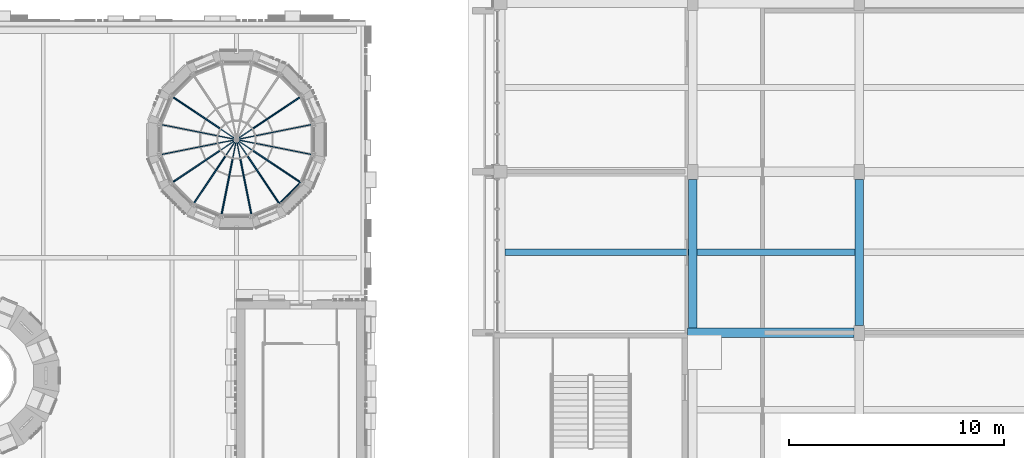
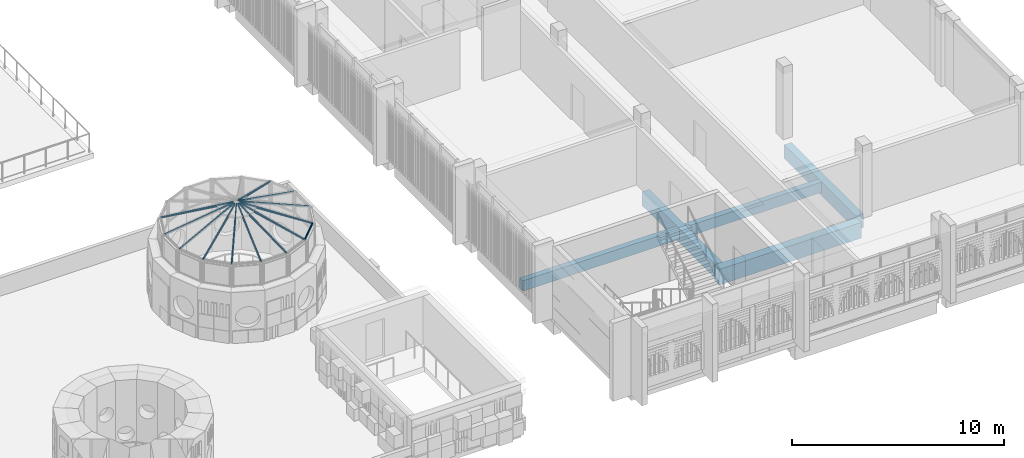
# One storey, part 17 of 98: 21 members, 5 beams.
"""IFC4 building model written with IfcOpenShell, lengths in metres."""

from ifc_helpers import new_model, si_unit, direction, frame, origin, origin_2d, place, context, subcontext, project, spatial, rectangle, hollow_rectangle, hollow_circle, extrude, material, material_profile, profile_set, type_object, element, save


model = new_model("IFC4")

# Units and contexts
model_context = context("Model", 3, precision=1e-05, world=origin(), true_north=direction((0.0, 1.0)))
body_context = subcontext(model_context, "Body", "Model", "MODEL_VIEW")
ifc_project = project(units=[si_unit("LENGTHUNIT", "METRE"), si_unit("AREAUNIT", "SQUARE_METRE"), si_unit("VOLUMEUNIT", "CUBIC_METRE"), si_unit("PLANEANGLEUNIT", "RADIAN"), si_unit("MASSUNIT", "GRAM", prefix="KILO")], contexts=[model_context])

# Site, building, storey
site_placement = place(None, origin())
site = spatial("IfcSite", under=ifc_project, at=site_placement, CompositionType="ELEMENT")
building_placement = place(site_placement, origin())
building = spatial("IfcBuilding", under=site, at=building_placement, Name="Sun Court Science Centre", CompositionType="ELEMENT")
storey_placement = place(building_placement, frame((0.0, 0.0, 15.75)))
storey = spatial("IfcBuildingStorey", under=building, at=storey_placement, Name="L03", CompositionType="ELEMENT", Elevation=15.75)

# Members
ifc_material_1 = material(Name="Aluminium EN AW-6063 T6", Category="aluminium")
ifc_material_profile_1 = material_profile(ifc_material_1, hollow_rectangle(XDim=0.050048828125, YDim=0.080078125, WallThickness=0.00390625, InnerFilletRadius=0.00390625, OuterFilletRadius=0.006103515625, at=origin_2d()), Name="AL 50x80x4")
ifc_profile_set_1 = profile_set([ifc_material_profile_1], Name="Aluminium EN AW-6063 T6")
member_type_1 = type_object("IfcMemberType", Name="Glazing bar AL 50x80", PredefinedType="USERDEFINED", material=ifc_profile_set_1)
member_1_placement = place(storey_placement, frame((69.519287109375, 23.199951171875, 4.300048828125), z_axis=(-0.937008040213, -0.186356869857, 0.295443818066), x_axis=(0.195064527842, -0.980790410831, 0.0)))
element("IfcMember", 1, at=member_1_placement, inside=storey, type_object=member_type_1, Name="Lantern glazing bar cone 6 01", ObjectType="Glazing bar", PredefinedType="USERDEFINED", context=body_context, shape_type="SweptSolid", body=[
    extrude(hollow_rectangle(XDim=0.050048828125, YDim=0.080078125, WallThickness=0.00390625, InnerFilletRadius=0.00390625, OuterFilletRadius=0.006103515625, at=origin_2d()), origin(), (0.0, 0.0, 1.0), 3.598876953125),
])
for number, where, z_axis, x_axis, name in (
    (2, (68.9833984375, 24.493408203125, 4.300048828125), (-0.794343321873, -0.530783341902, 0.295444971112), (0.555584780417, -0.831459891858, 0.0), "Lantern glazing bar cone 6 02"),
    (3, (63.0166015625, 24.493408203125, 4.300048828125), (0.794343321873, -0.530783341902, 0.295444971112), (0.555584780417, 0.831459891858, 0.0), "Lantern glazing bar cone 6 07"),
):
    element("IfcMember", number, at=place(storey_placement, frame(where, z_axis=z_axis, x_axis=x_axis)), inside=storey, type_object=member_type_1, Name=name, ObjectType="Glazing bar", PredefinedType="USERDEFINED", context=body_context, shape_type="SweptSolid", body=[
        extrude(hollow_rectangle(XDim=0.050048828125, YDim=0.080078125, WallThickness=0.00390625, InnerFilletRadius=0.00390625, OuterFilletRadius=0.006103515625, at=origin_2d()), origin(), (0.0, 0.0, 1.0), 3.5986328125),
    ])
for number, where, z_axis, x_axis, name in (
    (4, (62.480712890625, 23.199951171875, 4.300048828125), (0.937008040213, -0.186356869857, 0.295443818066), (0.195064527842, 0.980790410831, 0.0), "Lantern glazing bar cone 6 08"),
    (5, (62.480712890625, 21.800048828125, 4.300048828125), (0.937008040213, 0.186356869857, 0.295443818066), (-0.195064527842, 0.980790410831, 0.0), "Lantern glazing bar cone 6 09"),
):
    element("IfcMember", number, at=place(storey_placement, frame(where, z_axis=z_axis, x_axis=x_axis)), inside=storey, type_object=member_type_1, Name=name, ObjectType="Glazing bar", PredefinedType="USERDEFINED", context=body_context, shape_type="SweptSolid", body=[
        extrude(hollow_rectangle(XDim=0.050048828125, YDim=0.080078125, WallThickness=0.00390625, InnerFilletRadius=0.00390625, OuterFilletRadius=0.006103515625, at=origin_2d()), origin(), (0.0, 0.0, 1.0), 3.598876953125),
    ])
for number, where, z_axis, x_axis, name in (
    (6, (63.0166015625, 20.506591796875, 4.300048828125), (0.794343321873, 0.530783341902, 0.295444971112), (-0.555584780417, 0.831459891858, 0.0), "Lantern glazing bar cone 6 10"),
    (7, (64.006591796875, 19.5166015625, 4.300048828125), (0.530783341902, 0.794343321873, 0.295444971112), (-0.831459891858, 0.555584780417, 0.0), "Lantern glazing bar cone 6 11"),
):
    element("IfcMember", number, at=place(storey_placement, frame(where, z_axis=z_axis, x_axis=x_axis)), inside=storey, type_object=member_type_1, Name=name, ObjectType="Glazing bar", PredefinedType="USERDEFINED", context=body_context, shape_type="SweptSolid", body=[
        extrude(hollow_rectangle(XDim=0.050048828125, YDim=0.080078125, WallThickness=0.00390625, InnerFilletRadius=0.00390625, OuterFilletRadius=0.006103515625, at=origin_2d()), origin(), (0.0, 0.0, 1.0), 3.5986328125),
    ])
for number, where, z_axis, x_axis, name in (
    (8, (65.300048828125, 18.980712890625, 4.300048828125), (0.186356869857, 0.937008040213, 0.295443818066), (-0.980790410831, 0.195064527842, 0.0), "Lantern glazing bar cone 6 12"),
    (9, (66.699951171875, 18.980712890625, 4.300048828125), (-0.186356869857, 0.937008040213, 0.295443818066), (-0.980790410831, -0.195064527842, 0.0), "Lantern glazing bar cone 6 13"),
):
    element("IfcMember", number, at=place(storey_placement, frame(where, z_axis=z_axis, x_axis=x_axis)), inside=storey, type_object=member_type_1, Name=name, ObjectType="Glazing bar", PredefinedType="USERDEFINED", context=body_context, shape_type="SweptSolid", body=[
        extrude(hollow_rectangle(XDim=0.050048828125, YDim=0.080078125, WallThickness=0.00390625, InnerFilletRadius=0.00390625, OuterFilletRadius=0.006103515625, at=origin_2d()), origin(), (0.0, 0.0, 1.0), 3.598876953125),
    ])
for number, where, z_axis, x_axis, name in (
    (10, (67.993408203125, 19.5166015625, 4.300048828125), (-0.530783341902, 0.794343321873, 0.295444971112), (-0.831459891858, -0.555584780417, 0.0), "Lantern glazing bar cone 6 14"),
    (11, (68.9833984375, 20.506591796875, 4.300048828125), (-0.794343321873, 0.530783341902, 0.295444971112), (-0.555584780417, -0.831459891858, 0.0), "Lantern glazing bar cone 6 15"),
):
    element("IfcMember", number, at=place(storey_placement, frame(where, z_axis=z_axis, x_axis=x_axis)), inside=storey, type_object=member_type_1, Name=name, ObjectType="Glazing bar", PredefinedType="USERDEFINED", context=body_context, shape_type="SweptSolid", body=[
        extrude(hollow_rectangle(XDim=0.050048828125, YDim=0.080078125, WallThickness=0.00390625, InnerFilletRadius=0.00390625, OuterFilletRadius=0.006103515625, at=origin_2d()), origin(), (0.0, 0.0, 1.0), 3.5986328125),
    ])
member_2_placement = place(storey_placement, frame((69.519287109375, 21.800048828125, 4.300048828125), z_axis=(-0.937008040213, 0.186356869857, 0.295443818066), x_axis=(-0.195064527842, -0.980790410831, 0.0)))
element("IfcMember", 12, at=member_2_placement, inside=storey, type_object=member_type_1, Name="Lantern glazing bar cone 6 16", ObjectType="Glazing bar", PredefinedType="USERDEFINED", context=body_context, shape_type="SweptSolid", body=[
    extrude(hollow_rectangle(XDim=0.050048828125, YDim=0.080078125, WallThickness=0.00390625, InnerFilletRadius=0.00390625, OuterFilletRadius=0.006103515625, at=origin_2d()), origin(), (0.0, 0.0, 1.0), 3.598876953125),
])
ifc_material_2 = material(Name="Steel S355", Category="steel")
ifc_material_profile_2 = material_profile(ifc_material_2, hollow_circle(Radius=0.04443359375, WallThickness=0.0048828125, at=origin_2d()), Name="CHS 88.9x5")
ifc_profile_set_2 = profile_set([ifc_material_profile_2], Name="Steel S355")
member_type_2 = type_object("IfcMemberType", Name="Lantern base ring CHS 88.9x5", PredefinedType="CHORD", material=ifc_profile_set_2)
member_3_placement = place(storey_placement, frame((67.993408203125, 19.5166015625, 4.29443359375), z_axis=(0.707106781187, 0.707106781187, 0.0), x_axis=(-0.707106781187, 0.707106781187, 0.0)))
element("IfcMember", 13, at=member_3_placement, inside=storey, type_object=member_type_2, Name="Cone 6 lantern base ring 14", PredefinedType="CHORD", context=body_context, shape_type="SweptSolid", body=[
    extrude(hollow_circle(Radius=0.04443359375, WallThickness=0.0048828125, at=origin_2d()), origin(), (0.0, 0.0, 1.0), 1.400146484375),
])
ifc_material_3 = material(Name="Steel S355", Category="steel")
ifc_material_profile_3 = material_profile(ifc_material_3, hollow_circle(Radius=0.04443359375, WallThickness=0.0048828125, at=origin_2d()), Name="CHS 88.9x5")
ifc_profile_set_3 = profile_set([ifc_material_profile_3], Name="Steel S355")
member_type_3 = type_object("IfcMemberType", Name="Lantern rafter CHS 88.9x5", PredefinedType="RAFTER", material=ifc_profile_set_3)
for number, where, z_axis, x_axis, name in (
    (14, (68.9833984375, 24.493408203125, 4.29443359375), (-0.797991608347, -0.533185654643, 0.280931398548), (0.55555921786, -0.831476972291, 0.0), "Cone 6 lantern rafter 2"),
    (15, (63.0166015625, 24.493408203125, 4.29443359375), (0.797991608347, -0.533185654643, 0.280931398548), (0.55555921786, 0.831476972291, 0.0), "Cone 6 lantern rafter 7"),
    (16, (63.0166015625, 20.506591796875, 4.29443359375), (0.797991608347, 0.533185654643, 0.280931398548), (-0.55555921786, 0.831476972291, 0.0), "Cone 6 lantern rafter 10"),
    (17, (64.006591796875, 19.5166015625, 4.29443359375), (0.533185654643, 0.797991608347, 0.280931398548), (-0.831476972291, 0.55555921786, 0.0), "Cone 6 lantern rafter 11"),
    (18, (65.300048828125, 18.980712890625, 4.29443359375), (0.187229068971, 0.941288042748, 0.280930767828), (-0.980786230193, 0.195085547037, 0.0), "Cone 6 lantern rafter 12"),
    (19, (66.699951171875, 18.980712890625, 4.29443359375), (-0.187229068971, 0.941288042748, 0.280930767828), (-0.980786230193, -0.195085547037, 0.0), "Cone 6 lantern rafter 13"),
    (20, (67.993408203125, 19.5166015625, 4.29443359375), (-0.533185654643, 0.797991608347, 0.280931398548), (-0.831476972291, -0.55555921786, 0.0), "Cone 6 lantern rafter 14"),
    (21, (68.9833984375, 20.506591796875, 4.29443359375), (-0.797991608347, 0.533185654643, 0.280931398548), (-0.55555921786, -0.831476972291, 0.0), "Cone 6 lantern rafter 15"),
):
    element("IfcMember", number, at=place(storey_placement, frame(where, z_axis=z_axis, x_axis=x_axis)), inside=storey, type_object=member_type_3, Name=name, PredefinedType="RAFTER", context=body_context, shape_type="SweptSolid", body=[
        extrude(hollow_circle(Radius=0.04443359375, WallThickness=0.0048828125, at=origin_2d()), origin(), (0.0, 0.0, 1.0), 2.801025390625),
    ])

# Beams
ifc_material_4 = material(Name="Concrete C25/30", Category="concrete")
ifc_material_profile_4 = material_profile(ifc_material_4, rectangle(XDim=0.39990234375, YDim=0.800048828125, at=origin_2d()), Name="RC 400x800")
ifc_profile_set_4 = profile_set([ifc_material_profile_4], Name="Concrete C25/30")
beam_type_1 = type_object("IfcBeamType", Name="RC girder 400x800", PredefinedType="BEAM", material=ifc_profile_set_4)
beam_1_placement = place(storey_placement, frame((87.25, 13.72509765625, -0.699951171875), z_axis=(0.0, 1.0, 0.0), x_axis=(-1.0, 0.0, 0.0)))
element("IfcBeam", 22, at=beam_1_placement, inside=storey, type_object=beam_type_1, Name="Girder L03 line 2", PredefinedType="BEAM", context=body_context, shape_type="SweptSolid", body=[
    extrude(rectangle(XDim=0.39990234375, YDim=0.800048828125, at=origin_2d()), origin(), (0.0, 0.0, 1.0), 6.9248046875),
])
beam_2_placement = place(storey_placement, frame((95.0, 13.85009765625, -0.699951171875), z_axis=(0.0, 1.0, 0.0), x_axis=(-1.0, 0.0, 0.0)))
element("IfcBeam", 23, at=beam_2_placement, inside=storey, type_object=beam_type_1, Name="Girder L03 line 3", PredefinedType="BEAM", context=body_context, shape_type="SweptSolid", body=[
    extrude(rectangle(XDim=0.39990234375, YDim=0.800048828125, at=origin_2d()), origin(), (0.0, 0.0, 1.0), 6.7998046875),
])
ifc_material_5 = material(Name="Concrete C25/30", Category="concrete")
ifc_material_profile_5 = material_profile(ifc_material_5, rectangle(XDim=0.449951171875, YDim=0.89990234375, at=origin_2d()), Name="RC 450x900")
ifc_profile_set_5 = profile_set([ifc_material_profile_5], Name="Concrete C25/30")
beam_type_2 = type_object("IfcBeamType", Name="RC girder 450x900", PredefinedType="BEAM", material=ifc_profile_set_5)
beam_3_placement = place(storey_placement, frame((87.0, 13.5, -0.75), z_axis=(1.0, 0.0, 0.0), x_axis=(0.0, 1.0, 0.0)))
element("IfcBeam", 24, at=beam_3_placement, inside=storey, type_object=beam_type_2, Name="Girder L03 row 2", PredefinedType="BEAM", context=body_context, shape_type="SweptSolid", body=[
    extrude(rectangle(XDim=0.449951171875, YDim=0.89990234375, at=origin_2d()), origin(), (0.0, 0.0, 1.0), 7.75),
])
ifc_material_6 = material(Name="Concrete C25/30", Category="concrete")
ifc_material_profile_6 = material_profile(ifc_material_6, rectangle(XDim=0.300048828125, YDim=0.60009765625, at=origin_2d()), Name="RC 300x600")
ifc_profile_set_6 = profile_set([ifc_material_profile_6], Name="Concrete C25/30")
beam_type_3 = type_object("IfcBeamType", Name="RC joist 300x600", PredefinedType="JOIST", material=ifc_profile_set_6)
beam_4_placement = place(storey_placement, frame((78.5, 17.25, -0.60009765625), z_axis=(1.0, 0.0, 0.0), x_axis=(0.0, 1.0, 0.0)))
element("IfcBeam", 25, at=beam_4_placement, inside=storey, type_object=beam_type_3, Name="Joist L03", PredefinedType="JOIST", context=body_context, shape_type="SweptSolid", body=[
    extrude(rectangle(XDim=0.300048828125, YDim=0.60009765625, at=origin_2d()), origin(), (0.0, 0.0, 1.0), 8.550048828125),
])
beam_5_placement = place(storey_placement, frame((87.449951171875, 17.25, -0.60009765625), z_axis=(1.0, 0.0, 0.0), x_axis=(0.0, 1.0, 0.0)))
element("IfcBeam", 26, at=beam_5_placement, inside=storey, type_object=beam_type_3, Name="Joist L03", PredefinedType="JOIST", context=body_context, shape_type="SweptSolid", body=[
    extrude(rectangle(XDim=0.300048828125, YDim=0.60009765625, at=origin_2d()), origin(), (0.0, 0.0, 1.0), 7.35009765625),
])

save(model, "model.ifc")
